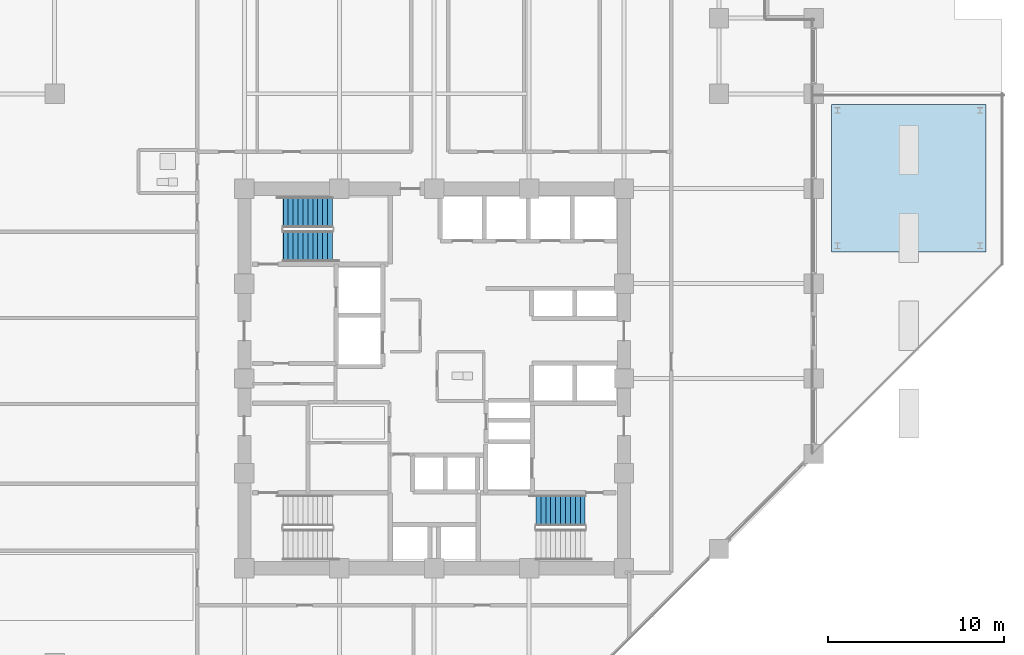
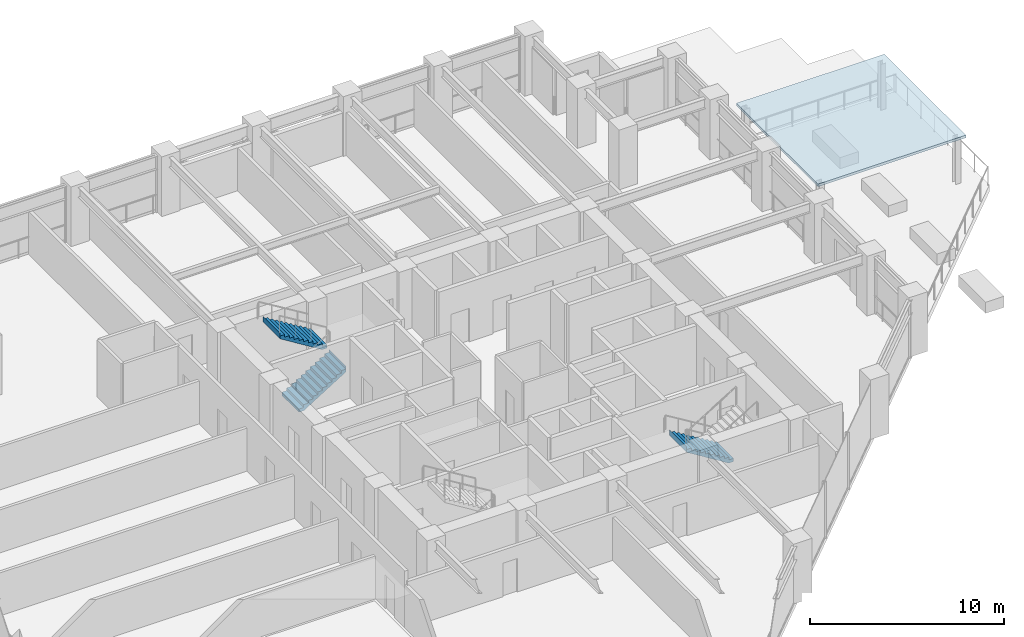
# One storey, part 23 of 30: 3 stair flights, 1 roof, 2 elements without a shape of their own.
"""IFC4 building model written with IfcOpenShell, lengths in metres."""

from ifc_helpers import new_model, si_unit, direction, frame, origin, place, context, subcontext, project, spatial, polyline, outline, extrude, material, layer, layer_set, type_object, element, aggregate, save


model = new_model("IFC4")

# Units and contexts
model_context = context("Model", 3, precision=1e-05, world=origin(), true_north=direction((0.0, 1.0)))
body_context = subcontext(model_context, "Body", "Model", "MODEL_VIEW")
ifc_project = project(units=[si_unit("LENGTHUNIT", "METRE"), si_unit("AREAUNIT", "SQUARE_METRE"), si_unit("VOLUMEUNIT", "CUBIC_METRE"), si_unit("PLANEANGLEUNIT", "RADIAN"), si_unit("MASSUNIT", "GRAM", prefix="KILO")], contexts=[model_context])

# Site, building, storey
site_placement = place(None, origin())
site = spatial("IfcSite", under=ifc_project, at=site_placement, CompositionType="ELEMENT")
building_placement = place(site_placement, origin())
building = spatial("IfcBuilding", under=site, at=building_placement, Name="Surkhivell Harbour Commons", CompositionType="ELEMENT")
storey_placement = place(building_placement, frame((0.0, 0.0, 83.25)))
storey = spatial("IfcBuildingStorey", under=building, at=storey_placement, Name="L21", CompositionType="ELEMENT", Elevation=83.25)

# Stair, stair flights
ifc_material_1 = material(Name="Precast concrete C45/55", Category="concrete")
stair_type = type_object("IfcStairType", Name="STR-DL-375", PredefinedType="HALF_TURN_STAIR", material=ifc_material_1)
stair_1_placement = place(storey_placement, origin())
stair_1 = element("IfcStair", 1, at=stair_1_placement, inside=storey, type_object=stair_type, Name="L21 Core Exit Stair ST1", PredefinedType="HALF_TURN_STAIR")
stair_flight_type = type_object("IfcStairFlightType", Name="STF-DL-375", PredefinedType="STRAIGHT", material=ifc_material_1)
stair_flight_1_placement = place(storey_placement, frame((-8.590087890625, 7.514892578125, 0.0), z_axis=(0.0, 0.0, 1.0), x_axis=(1.0, 0.0, 0.0)))
stair_flight_1 = element("IfcStairFlight", 2, at=stair_flight_1_placement, type_object=stair_flight_type, Name="ST1 flight 1", NumberOfRisers=11, NumberOfTreads=10, PredefinedType="STRAIGHT", RiserHeight=0.170454545, TreadLength=0.28, context=body_context, shape_type="SweptSolid", body=[
    extrude(outline(polyline([(-0.0029296875, -0.034912109375), (-0.0029296875, 0.0), (0.0, 0.0), (0.0, 0.17041015625), (0.280029296875, 0.17041015625), (0.280029296875, 0.3408203125), (0.56005859375, 0.3408203125), (0.56005859375, 0.511474609375), (0.840087890625, 0.511474609375), (0.840087890625, 0.681884765625), (1.1201171875, 0.681884765625), (1.1201171875, 0.852294921875), (1.39990234375, 0.852294921875), (1.39990234375, 1.022705078125), (1.679931640625, 1.022705078125), (1.679931640625, 1.193115234375), (1.9599609375, 1.193115234375), (1.9599609375, 1.363525390625), (2.239990234375, 1.363525390625), (2.239990234375, 1.5341796875), (2.52001953125, 1.5341796875), (2.52001953125, 1.70458984375), (2.800048828125, 1.70458984375), (2.800048828125, 1.875), (2.802978515625, 1.875), (2.802978515625, 1.529052734375), (0.288330078125, -0.034912109375), (-0.0029296875, -0.034912109375)])), frame((0.0, 0.875, 0.0), z_axis=(0.0, -1.0, 0.0), x_axis=(1.0, 0.0, 0.0)), (0.0, 0.0, 1.0), 1.75),
])
stair_flight_2_placement = place(storey_placement, frame((-5.7900390625, 9.465087890625, 1.875), z_axis=(0.0, 0.0, 1.0), x_axis=(-1.0, 0.0, 0.0)))
stair_flight_2 = element("IfcStairFlight", 3, at=stair_flight_2_placement, type_object=stair_flight_type, Name="ST1 flight 2", NumberOfRisers=11, NumberOfTreads=10, PredefinedType="STRAIGHT", RiserHeight=0.170454545, TreadLength=0.28, context=body_context, shape_type="SweptSolid", body=[
    extrude(outline(polyline([(-0.0029296875, -0.034912109375), (-0.0029296875, 0.0), (0.0, 0.0), (0.0, 0.17041015625), (0.280029296875, 0.17041015625), (0.280029296875, 0.3408203125), (0.56005859375, 0.3408203125), (0.56005859375, 0.511474609375), (0.840087890625, 0.511474609375), (0.840087890625, 0.681884765625), (1.1201171875, 0.681884765625), (1.1201171875, 0.852294921875), (1.39990234375, 0.852294921875), (1.39990234375, 1.022705078125), (1.679931640625, 1.022705078125), (1.679931640625, 1.193115234375), (1.9599609375, 1.193115234375), (1.9599609375, 1.363525390625), (2.239990234375, 1.363525390625), (2.239990234375, 1.5341796875), (2.52001953125, 1.5341796875), (2.52001953125, 1.70458984375), (2.800048828125, 1.70458984375), (2.800048828125, 1.875), (2.802978515625, 1.875), (2.802978515625, 1.529052734375), (0.288330078125, -0.034912109375), (-0.0029296875, -0.034912109375)])), frame((0.0, 0.875, 0.0), z_axis=(0.0, -1.0, 0.0), x_axis=(1.0, 0.0, 0.0)), (0.0, 0.0, 1.0), 1.75),
])
aggregate(stair_1, [stair_flight_1, stair_flight_2])

# Stair, stair flight
stair_2_placement = place(storey_placement, origin())
stair_2 = element("IfcStair", 4, at=stair_2_placement, inside=storey, type_object=stair_type, Name="L21 Core Exit Stair ST2", PredefinedType="HALF_TURN_STAIR")
stair_flight_3_placement = place(storey_placement, frame((8.590087890625, -7.514892578125, 0.0), z_axis=(0.0, 0.0, 1.0), x_axis=(-1.0, 0.0, 0.0)))
stair_flight_3 = element("IfcStairFlight", 5, at=stair_flight_3_placement, type_object=stair_flight_type, Name="ST2 flight 1", NumberOfRisers=11, NumberOfTreads=10, PredefinedType="STRAIGHT", RiserHeight=0.170454545, TreadLength=0.28, context=body_context, shape_type="SweptSolid", body=[
    extrude(outline(polyline([(-0.0029296875, -0.034912109375), (-0.0029296875, 0.0), (0.0, 0.0), (0.0, 0.17041015625), (0.280029296875, 0.17041015625), (0.280029296875, 0.3408203125), (0.56005859375, 0.3408203125), (0.56005859375, 0.511474609375), (0.840087890625, 0.511474609375), (0.840087890625, 0.681884765625), (1.1201171875, 0.681884765625), (1.1201171875, 0.852294921875), (1.39990234375, 0.852294921875), (1.39990234375, 1.022705078125), (1.679931640625, 1.022705078125), (1.679931640625, 1.193115234375), (1.9599609375, 1.193115234375), (1.9599609375, 1.363525390625), (2.239990234375, 1.363525390625), (2.239990234375, 1.5341796875), (2.52001953125, 1.5341796875), (2.52001953125, 1.70458984375), (2.800048828125, 1.70458984375), (2.800048828125, 1.875), (2.802978515625, 1.875), (2.802978515625, 1.529052734375), (0.288330078125, -0.034912109375), (-0.0029296875, -0.034912109375)])), frame((0.0, 0.875, 0.0), z_axis=(0.0, -1.0, 0.0), x_axis=(1.0, 0.0, 0.0)), (0.0, 0.0, 1.0), 1.75),
])
aggregate(stair_2, [stair_flight_3])

# Roof
ifc_material_2 = material(Name="Pale-metal aluminium and laminated canopy glass", Category="aluminium")
ifc_layer = layer(ifc_material_2, 0.159912109375)
ifc_layer_set = layer_set([ifc_layer], Name="Pale-metal aluminium and laminated canopy glass")
roof_type = type_object("IfcRoofType", Name="ROF-CAN-GLZ", PredefinedType="PAVILION_ROOF", material=ifc_layer_set)
roof_placement = place(storey_placement, frame((0.0, 0.0, 2.889892578125)))
element("IfcRoof", 6, at=roof_placement, inside=storey, type_object=roof_type, Name="L21 Glazed Pale-Metal Canopy CAN-SG1", PredefinedType="PAVILION_ROOF", context=body_context, shape_type="SweptSolid", body=[
    extrude(outline(polyline([(22.60009765625, 7.199951171875), (31.39990234375, 7.199951171875), (31.39990234375, 15.60009765625), (22.60009765625, 15.60009765625), (22.60009765625, 7.199951171875)])), origin(), (0.0, 0.0, 1.0), 0.16015625),
])

save(model, "model.ifc")
